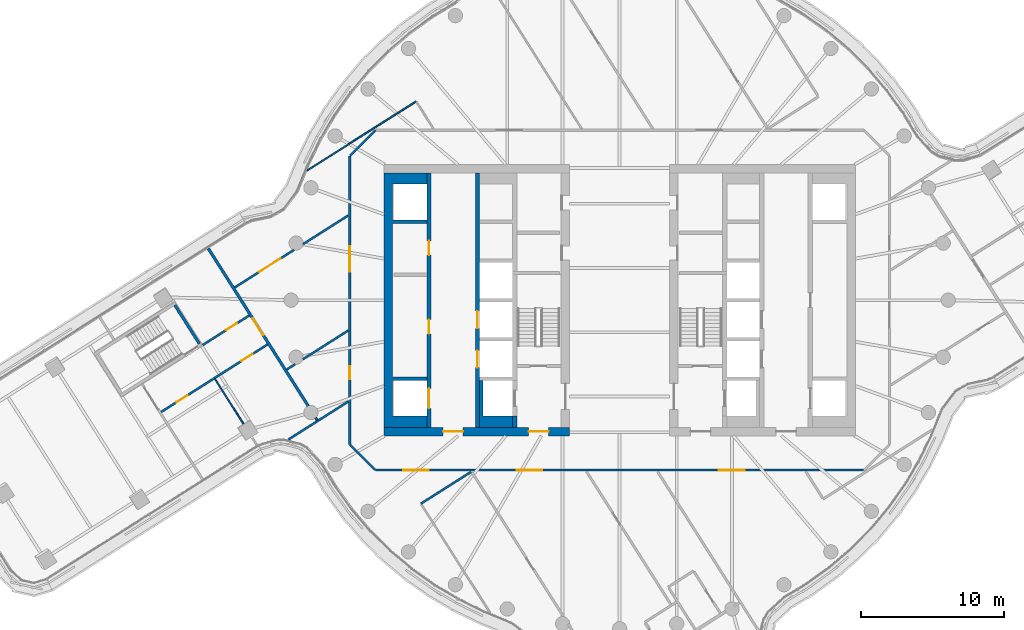
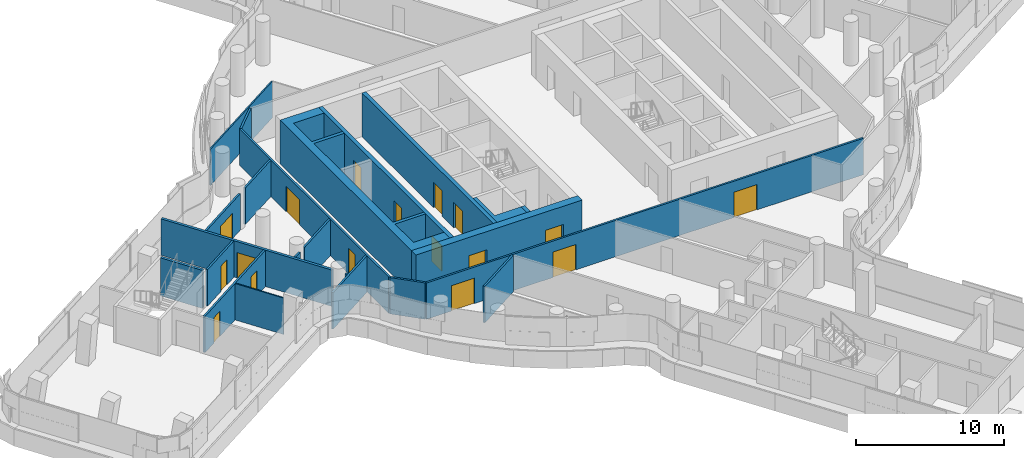
# One storey, part 24 of 36: 23 walls, 17 doors, 17 openings.
"""IFC4 building model written with IfcOpenShell, lengths in metres."""

from ifc_helpers import new_model, si_unit, direction, frame, frame_2d, origin, place, context, subcontext, project, spatial, polyline, rectangle, outline, extrude, material, layer, layer_set, type_object, element, fill, save


model = new_model("IFC4")

# Units and contexts
model_context = context("Model", 3, precision=1e-05, world=origin(), true_north=direction((0.0, 1.0)))
body_context = subcontext(model_context, "Body", "Model", "MODEL_VIEW")
ifc_project = project(units=[si_unit("LENGTHUNIT", "METRE"), si_unit("AREAUNIT", "SQUARE_METRE"), si_unit("VOLUMEUNIT", "CUBIC_METRE"), si_unit("PLANEANGLEUNIT", "RADIAN"), si_unit("MASSUNIT", "GRAM", prefix="KILO")], contexts=[model_context])

# Site, building, storey
site_placement = place(None, origin())
site = spatial("IfcSite", under=ifc_project, at=site_placement, CompositionType="ELEMENT")
building_placement = place(site_placement, origin())
building = spatial("IfcBuilding", under=site, at=building_placement, Name="Tamarind Cross Interchange Tower", CompositionType="ELEMENT")
storey_placement = place(building_placement, frame((0.0, 0.0, 151.75)))
storey = spatial("IfcBuildingStorey", under=building, at=storey_placement, Name="L37", CompositionType="ELEMENT", Elevation=151.75)

# Wall, openings, doors
ifc_material_1 = material(Name="Concrete C60", Category="concrete")
ifc_layer_1 = layer(ifc_material_1, 0.60009765625)
ifc_layer_set_1 = layer_set([ifc_layer_1], Name="Concrete C60")
wall_type_1 = type_object("IfcWallType", Name="Core wall 600 mm Concrete C60", PredefinedType="SHEAR", material=ifc_layer_set_1)
wall_1_placement = place(storey_placement, frame((-16.5, -9.199951171875, 0.0), z_axis=(0.0, 0.0, 1.0), x_axis=(1.0, 0.0, 0.0)))
wall_1 = element("IfcWall", 1, at=wall_1_placement, inside=storey, type_object=wall_type_1, Name="Core wall CWL-L37-W-S", PredefinedType="SHEAR", context=body_context, shape_type="SweptSolid", body=[
    extrude(rectangle(XDim=13.0, YDim=0.60009765625, at=frame_2d((6.5, 0.0))), origin(), (0.0, 0.0, 1.0), 3.610107421875),
])
opening_1_placement = place(wall_1_placement, frame((4.14990234375, 0.0, 0.0)))
opening_1 = element("IfcOpeningElement", 2, at=opening_1_placement, cuts=wall_1, Name="Opening DCW1", PredefinedType="OPENING", context=body_context, shape_type="SweptSolid", body=[
    extrude(rectangle(XDim=1.39990234375, YDim=2.10009765625, at=frame_2d((0.699951171875, 1.050048828125))), frame((0.0, 0.31005859375, 0.0), z_axis=(0.0, -1.0, 0.0), x_axis=(1.0, 0.0, 0.0)), (0.0, 0.0, 1.0), 0.6201171875),
])
opening_2_placement = place(wall_1_placement, frame((10.125, 0.0, 0.0)))
opening_2 = element("IfcOpeningElement", 3, at=opening_2_placement, cuts=wall_1, Name="Opening DCWF", PredefinedType="OPENING", context=body_context, shape_type="SweptSolid", body=[
    extrude(rectangle(XDim=1.39990234375, YDim=2.10009765625, at=frame_2d((0.699951171875, 1.050048828125))), frame((0.0, 0.31005859375, 0.0), z_axis=(0.0, -1.0, 0.0), x_axis=(1.0, 0.0, 0.0)), (0.0, 0.0, 1.0), 0.6201171875),
])
ifc_material_2 = material(Name="Steel, fire-resisting", Category="steel")
door_type_1 = type_object("IfcDoorType", Name="Core fire door 1400 x 2100 FD90", OperationType="SINGLE_SWING_LEFT", PredefinedType="DOOR", material=ifc_material_2)
door_1_placement = place(opening_1_placement, origin())
door_1 = element("IfcDoor", 4, at=door_1_placement, inside=storey, type_object=door_type_1, Name="L37 lift lobby door", OperationType="SINGLE_SWING_LEFT", OverallHeight=2.10009765625, OverallWidth=1.39990234375, PredefinedType="DOOR", context=body_context, shape_type="SweptSolid", body=[
    extrude(rectangle(XDim=1.39990234375, YDim=2.10009765625, at=frame_2d((0.699951171875, 1.050048828125))), frame((0.0, 0.02490234375, 0.0), z_axis=(0.0, -1.0, 0.0), x_axis=(1.0, 0.0, 0.0)), (0.0, 0.0, 1.0), 0.050048828125),
])
fill(opening_1, door_1)
door_2_placement = place(opening_2_placement, origin())
door_2 = element("IfcDoor", 5, at=door_2_placement, inside=storey, type_object=door_type_1, Name="L37 firefighting lobby end door", OperationType="SINGLE_SWING_LEFT", OverallHeight=2.10009765625, OverallWidth=1.39990234375, PredefinedType="DOOR", context=body_context, shape_type="SweptSolid", body=[
    extrude(rectangle(XDim=1.39990234375, YDim=2.10009765625, at=frame_2d((0.699951171875, 1.050048828125))), frame((0.0, 0.02490234375, 0.0), z_axis=(0.0, -1.0, 0.0), x_axis=(1.0, 0.0, 0.0)), (0.0, 0.0, 1.0), 0.050048828125),
])
fill(opening_2, door_2)

# Walls
wall_2_placement = place(storey_placement, origin())
element("IfcWall", 6, at=wall_2_placement, inside=storey, type_object=wall_type_1, Name="Core wall CWL-L37-W-A", PredefinedType="SHEAR", context=body_context, shape_type="SweptSolid", body=[
    extrude(outline(polyline([(-13.5, -8.125), (-15.89990234375, -8.125), (-15.89990234375, -5.625), (-13.5, -5.625), (-13.5, -5.375), (-15.89990234375, -5.375), (-15.89990234375, 5.375), (-13.5, 5.375), (-13.5, 5.625), (-15.89990234375, 5.625), (-15.89990234375, 8.125), (-13.5, 8.125), (-13.5, 8.89990234375), (-15.89990234375, 8.89990234375), (-16.5, 8.89990234375), (-16.5, -8.89990234375), (-15.89990234375, -8.89990234375), (-13.5, -8.89990234375), (-13.5, -8.125)])), origin(), (0.0, 0.0, 1.0), 3.610107421875),
])
ifc_layer_2 = layer(ifc_material_1, 0.300048828125)
ifc_layer_set_2 = layer_set([ifc_layer_2], Name="Concrete C60")
wall_type_2 = type_object("IfcWallType", Name="Core web wall 300 mm Concrete C60", PredefinedType="SHEAR", material=ifc_layer_set_2)
wall_3_placement = place(storey_placement, origin())
element("IfcWall", 7, at=wall_3_placement, inside=storey, type_object=wall_type_2, Name="Core wall CWL-L37-W-BS", PredefinedType="SHEAR", context=body_context, shape_type="SweptSolid", body=[
    extrude(outline(polyline([(-7.5, -8.125), (-9.550048828125, -8.125), (-9.550048828125, -5.625), (-9.800048828125, -5.625), (-9.800048828125, -8.125), (-9.800048828125, -8.89990234375), (-7.5, -8.89990234375), (-7.5, -8.125)])), origin(), (0.0, 0.0, 1.0), 3.610107421875),
])
wall_4_placement = place(storey_placement, frame((-7.35009765625, -8.89990234375, 0.0), z_axis=(0.0, 0.0, 1.0), x_axis=(0.0, 1.0, 0.0)))
element("IfcWall", 8, at=wall_4_placement, inside=storey, type_object=wall_type_2, Name="Core wall CWL-L37-W-BW", PredefinedType="SHEAR", context=body_context, shape_type="SweptSolid", body=[
    extrude(rectangle(XDim=0.77490234375, YDim=0.300048828125, at=frame_2d((0.387451171875, 0.0))), origin(), (0.0, 0.0, 1.0), 3.610107421875),
])

# Wall, openings, doors
wall_5_placement = place(storey_placement, frame((-13.35009765625, -8.89990234375, 0.0), z_axis=(0.0, 0.0, 1.0), x_axis=(0.0, 1.0, 0.0)))
wall_5 = element("IfcWall", 9, at=wall_5_placement, inside=storey, type_object=wall_type_2, Name="Core wall CWL-L37-W-LA", PredefinedType="SHEAR", context=body_context, shape_type="SweptSolid", body=[
    extrude(rectangle(XDim=17.7998046875, YDim=0.300048828125, at=frame_2d((8.89990234375, 0.0))), origin(), (0.0, 0.0, 1.0), 3.610107421875),
])
opening_3_placement = place(wall_5_placement, frame((1.324951171875, 0.0, 0.0)))
opening_3 = element("IfcOpeningElement", 10, at=opening_3_placement, cuts=wall_5, Name="Opening LD1L37", PredefinedType="OPENING", context=body_context, shape_type="SweptSolid", body=[
    extrude(rectangle(XDim=1.39990234375, YDim=2.10009765625, at=frame_2d((0.699951171875, 1.050048828125))), frame((0.0, 0.159912109375, 0.0), z_axis=(0.0, -1.0, 0.0), x_axis=(1.0, 0.0, 0.0)), (0.0, 0.0, 1.0), 0.320068359375),
])
opening_4_placement = place(wall_5_placement, frame((6.5458984375, 0.0, 0.0)))
opening_4 = element("IfcOpeningElement", 11, at=opening_4_placement, cuts=wall_5, Name="Opening DCW9", PredefinedType="OPENING", context=body_context, shape_type="SweptSolid", body=[
    extrude(rectangle(XDim=1.0, YDim=2.10009765625, at=frame_2d((0.5, 1.050048828125))), frame((0.0, 0.159912109375, 0.0), z_axis=(0.0, -1.0, 0.0), x_axis=(1.0, 0.0, 0.0)), (0.0, 0.0, 1.0), 0.320068359375),
])
opening_5_placement = place(wall_5_placement, frame((12.0458984375, 0.0, 0.0)))
opening_5 = element("IfcOpeningElement", 12, at=opening_5_placement, cuts=wall_5, Name="Opening DCW10", PredefinedType="OPENING", context=body_context, shape_type="SweptSolid", body=[
    extrude(rectangle(XDim=1.0, YDim=2.10009765625, at=frame_2d((0.5, 1.050048828125))), frame((0.0, 0.159912109375, 0.0), z_axis=(0.0, -1.0, 0.0), x_axis=(1.0, 0.0, 0.0)), (0.0, 0.0, 1.0), 0.320068359375),
])
door_type_2 = type_object("IfcDoorType", Name="Core fire door 1000 x 2100 FD90", OperationType="SINGLE_SWING_LEFT", PredefinedType="DOOR", material=ifc_material_2)
door_3_placement = place(opening_4_placement, origin())
door_3 = element("IfcDoor", 13, at=door_3_placement, inside=storey, type_object=door_type_2, Name="L37 Cable room door", OperationType="SINGLE_SWING_LEFT", OverallHeight=2.10009765625, OverallWidth=1.0, PredefinedType="DOOR", context=body_context, shape_type="SweptSolid", body=[
    extrude(rectangle(XDim=1.0, YDim=2.10009765625, at=frame_2d((0.5, 1.050048828125))), frame((0.0, 0.02490234375, 0.0), z_axis=(0.0, -1.0, 0.0), x_axis=(1.0, 0.0, 0.0)), (0.0, 0.0, 1.0), 0.050048828125),
])
fill(opening_4, door_3)
door_4_placement = place(opening_5_placement, origin())
door_4 = element("IfcDoor", 14, at=door_4_placement, inside=storey, type_object=door_type_2, Name="L37 Meter room door", OperationType="SINGLE_SWING_LEFT", OverallHeight=2.10009765625, OverallWidth=1.0, PredefinedType="DOOR", context=body_context, shape_type="SweptSolid", body=[
    extrude(rectangle(XDim=1.0, YDim=2.10009765625, at=frame_2d((0.5, 1.050048828125))), frame((0.0, 0.02490234375, 0.0), z_axis=(0.0, -1.0, 0.0), x_axis=(1.0, 0.0, 0.0)), (0.0, 0.0, 1.0), 0.050048828125),
])
fill(opening_5, door_4)
ifc_material_3 = material(Name="Stainless steel panel", Category="steel")
door_type_3 = type_object("IfcDoorType", Name="Lift landing door 1400 x 2100 E 120", OperationType="SLIDING_TO_LEFT", PredefinedType="DOOR", material=ifc_material_3)
door_5_placement = place(opening_3_placement, origin())
door_5 = element("IfcDoor", 15, at=door_5_placement, inside=storey, type_object=door_type_3, Name="L37 landing door LF1", OperationType="SLIDING_TO_LEFT", OverallHeight=2.10009765625, OverallWidth=1.39990234375, PredefinedType="DOOR", context=body_context, shape_type="SweptSolid", body=[
    extrude(rectangle(XDim=1.39990234375, YDim=2.10009765625, at=frame_2d((0.699951171875, 1.050048828125))), frame((0.0, 0.02490234375, 0.0), z_axis=(0.0, -1.0, 0.0), x_axis=(1.0, 0.0, 0.0)), (0.0, 0.0, 1.0), 0.050048828125),
])
fill(opening_3, door_5)

wall_6_placement = place(storey_placement, frame((-9.949951171875, -8.89990234375, 0.0), z_axis=(0.0, 0.0, 1.0), x_axis=(0.0, 1.0, 0.0)))
wall_6 = element("IfcWall", 16, at=wall_6_placement, inside=storey, type_object=wall_type_2, Name="Core wall CWL-L37-W-LB", PredefinedType="SHEAR", context=body_context, shape_type="SweptSolid", body=[
    extrude(rectangle(XDim=17.7998046875, YDim=0.300048828125, at=frame_2d((8.89990234375, 0.0))), origin(), (0.0, 0.0, 1.0), 3.610107421875),
])
opening_6_placement = place(wall_6_placement, frame((4.175048828125, 0.0, 0.0)))
opening_6 = element("IfcOpeningElement", 17, at=opening_6_placement, cuts=wall_6, Name="Opening LD8L37", PredefinedType="OPENING", context=body_context, shape_type="SweptSolid", body=[
    extrude(rectangle(XDim=1.199951171875, YDim=2.10009765625, at=frame_2d((0.60009765625, 1.050048828125))), frame((0.0, 0.159912109375, 0.0), z_axis=(0.0, -1.0, 0.0), x_axis=(1.0, 0.0, 0.0)), (0.0, 0.0, 1.0), 0.320068359375),
])
opening_7_placement = place(wall_6_placement, frame((6.925048828125, 0.0, 0.0)))
opening_7 = element("IfcOpeningElement", 18, at=opening_7_placement, cuts=wall_6, Name="Opening LD9L37", PredefinedType="OPENING", context=body_context, shape_type="SweptSolid", body=[
    extrude(rectangle(XDim=1.199951171875, YDim=2.10009765625, at=frame_2d((0.60009765625, 1.050048828125))), frame((0.0, 0.159912109375, 0.0), z_axis=(0.0, -1.0, 0.0), x_axis=(1.0, 0.0, 0.0)), (0.0, 0.0, 1.0), 0.320068359375),
])
door_type_4 = type_object("IfcDoorType", Name="Lift landing door 1200 x 2100 E 120", OperationType="SLIDING_TO_LEFT", PredefinedType="DOOR", material=ifc_material_3)
door_6_placement = place(opening_6_placement, origin())
door_6 = element("IfcDoor", 19, at=door_6_placement, inside=storey, type_object=door_type_4, Name="L37 landing door LF8", OperationType="SLIDING_TO_LEFT", OverallHeight=2.10009765625, OverallWidth=1.199951171875, PredefinedType="DOOR", context=body_context, shape_type="SweptSolid", body=[
    extrude(rectangle(XDim=1.199951171875, YDim=2.10009765625, at=frame_2d((0.60009765625, 1.050048828125))), frame((0.0, 0.02490234375, 0.0), z_axis=(0.0, -1.0, 0.0), x_axis=(1.0, 0.0, 0.0)), (0.0, 0.0, 1.0), 0.050048828125),
])
fill(opening_6, door_6)
door_7_placement = place(opening_7_placement, origin())
door_7 = element("IfcDoor", 20, at=door_7_placement, inside=storey, type_object=door_type_4, Name="L37 landing door LF9", OperationType="SLIDING_TO_LEFT", OverallHeight=2.10009765625, OverallWidth=1.199951171875, PredefinedType="DOOR", context=body_context, shape_type="SweptSolid", body=[
    extrude(rectangle(XDim=1.199951171875, YDim=2.10009765625, at=frame_2d((0.60009765625, 1.050048828125))), frame((0.0, 0.02490234375, 0.0), z_axis=(0.0, -1.0, 0.0), x_axis=(1.0, 0.0, 0.0)), (0.0, 0.0, 1.0), 0.050048828125),
])
fill(opening_7, door_7)

# Walls
ifc_material_4 = material(Name="Gypsum board partition on steel studs", Category="steel")
ifc_layer_3 = layer(ifc_material_4, 0.10009765625)
ifc_layer_set_3 = layer_set([ifc_layer_3], Name="Gypsum board partition on steel studs")
wall_type_3 = type_object("IfcWallType", Name="Partition 100 mm EI 90", PredefinedType="PARTITIONING", material=ifc_layer_set_3)
wall_7_placement = place(storey_placement, frame((-28.32568359375, -5.522216796875, 0.0), z_axis=(0.0, 0.0, 1.0), x_axis=(0.535609595691, -0.84446572518, 0.0)))
element("IfcWall", 21, at=wall_7_placement, inside=storey, type_object=wall_type_3, Name="Partition L37-005", PredefinedType="PARTITIONING", context=body_context, shape_type="SweptSolid", body=[
    extrude(rectangle(XDim=3.7080078125, YDim=0.10009765625, at=frame_2d((1.85400390625, 0.0))), origin(), (0.0, 0.0, 1.0), 3.010009765625),
])
wall_8_placement = place(storey_placement, frame((-21.884521484375, 9.0732421875, 0.0), z_axis=(0.0, 0.0, 1.0), x_axis=(0.844422195246, 0.535678220741, 0.0)))
element("IfcWall", 22, at=wall_8_placement, inside=storey, type_object=wall_type_3, Name="Partition L37-044", PredefinedType="PARTITIONING", context=body_context, shape_type="SweptSolid", body=[
    extrude(rectangle(XDim=9.042236328125, YDim=0.10009765625, at=frame_2d((4.52099609375, 0.0))), origin(), (0.0, 0.0, 1.0), 3.010009765625),
])
ifc_layer_4 = layer(ifc_material_4, 0.14990234375)
ifc_layer_set_4 = layer_set([ifc_layer_4], Name="Gypsum board partition on steel studs")
wall_type_4 = type_object("IfcWallType", Name="Partition 150 mm EI 120", PredefinedType="PARTITIONING", material=ifc_layer_set_4)
wall_9_placement = place(storey_placement, frame((-21.279541015625, -8.229736328125, 0.0), z_axis=(0.0, 0.0, 1.0), x_axis=(0.535205480582, -0.844721903087, 0.0)))
element("IfcWall", 23, at=wall_9_placement, inside=storey, type_object=wall_type_4, Name="Partition L37-004", PredefinedType="PARTITIONING", context=body_context, shape_type="SweptSolid", body=[
    extrude(rectangle(XDim=0.189208984375, YDim=0.14990234375, at=frame_2d((0.0947265625, 0.0))), origin(), (0.0, 0.0, 1.0), 3.010009765625),
])
wall_10_placement = place(storey_placement, frame((-18.87158203125, -10.12841796875, 0.0), z_axis=(0.0, 0.0, 1.0), x_axis=(0.707106781187, -0.707106781187, 0.0)))
element("IfcWall", 24, at=wall_10_placement, inside=storey, type_object=wall_type_4, Name="Partition L37-033", PredefinedType="PARTITIONING", context=body_context, shape_type="SweptSolid", body=[
    extrude(rectangle(XDim=2.465087890625, YDim=0.14990234375, at=frame_2d((1.232421875, 0.0))), origin(), (0.0, 0.0, 1.0), 3.010009765625),
])

# Wall, openings, doors
wall_11_placement = place(storey_placement, frame((-17.10009765625, -11.89990234375, 0.0), z_axis=(0.0, 0.0, 1.0), x_axis=(1.0, 0.0, 0.0)))
wall_11 = element("IfcWall", 25, at=wall_11_placement, inside=storey, type_object=wall_type_4, Name="Partition L37-035", PredefinedType="PARTITIONING", context=body_context, shape_type="SweptSolid", body=[
    extrude(rectangle(XDim=34.1650390625, YDim=0.14990234375, at=frame_2d((17.08251953125, 0.0))), origin(), (0.0, 0.0, 1.0), 3.010009765625),
])
opening_8_placement = place(wall_11_placement, frame((9.885986328125, 0.0, 0.0)))
opening_8 = element("IfcOpeningElement", 26, at=opening_8_placement, cuts=wall_11, Name="Opening D23", PredefinedType="OPENING", context=body_context, shape_type="SweptSolid", body=[
    extrude(rectangle(XDim=1.800048828125, YDim=2.10009765625, at=frame_2d((0.89990234375, 1.050048828125))), frame((0.0, 0.0849609375, 0.0), z_axis=(0.0, -1.0, 0.0), x_axis=(1.0, 0.0, 0.0)), (0.0, 0.0, 1.0), 0.169921875),
])
opening_9_placement = place(wall_11_placement, frame((1.949951171875, 0.0, 0.0)))
opening_9 = element("IfcOpeningElement", 27, at=opening_9_placement, cuts=wall_11, Name="Opening D24", PredefinedType="OPENING", context=body_context, shape_type="SweptSolid", body=[
    extrude(rectangle(XDim=1.800048828125, YDim=2.10009765625, at=frame_2d((0.89990234375, 1.050048828125))), frame((0.0, 0.0849609375, 0.0), z_axis=(0.0, -1.0, 0.0), x_axis=(1.0, 0.0, 0.0)), (0.0, 0.0, 1.0), 0.169921875),
])
opening_10_placement = place(wall_11_placement, frame((24.04296875, 0.0, 0.0)))
opening_10 = element("IfcOpeningElement", 28, at=opening_10_placement, cuts=wall_11, Name="Opening D25", PredefinedType="OPENING", context=body_context, shape_type="SweptSolid", body=[
    extrude(rectangle(XDim=1.800048828125, YDim=2.10009765625, at=frame_2d((0.89990234375, 1.050048828125))), frame((0.0, 0.0849609375, 0.0), z_axis=(0.0, -1.0, 0.0), x_axis=(1.0, 0.0, 0.0)), (0.0, 0.0, 1.0), 0.169921875),
])
ifc_material_5 = material(Name="Fire-resisting door set")
door_type_5 = type_object("IfcDoorType", Name="Interior door 1800 x 2100 FD60S", OperationType="DOUBLE_DOOR_SINGLE_SWING", PredefinedType="DOOR", material=ifc_material_5)
door_8_placement = place(opening_8_placement, origin())
door_8 = element("IfcDoor", 29, at=door_8_placement, inside=storey, type_object=door_type_5, Name="Door D23", OperationType="DOUBLE_DOOR_SINGLE_SWING", OverallHeight=2.10009765625, OverallWidth=1.800048828125, PredefinedType="DOOR", context=body_context, shape_type="SweptSolid", body=[
    extrude(rectangle(XDim=1.800048828125, YDim=2.10009765625, at=frame_2d((0.89990234375, 1.050048828125))), frame((0.0, 0.02490234375, 0.0), z_axis=(0.0, -1.0, 0.0), x_axis=(1.0, 0.0, 0.0)), (0.0, 0.0, 1.0), 0.050048828125),
])
fill(opening_8, door_8)
door_9_placement = place(opening_9_placement, frame((1.800048828125, 0.0, 0.0), z_axis=(0.0, 0.0, 1.0), x_axis=(-1.0, 0.0, 0.0)))
door_9 = element("IfcDoor", 30, at=door_9_placement, inside=storey, type_object=door_type_5, Name="Door D24", OperationType="DOUBLE_DOOR_SINGLE_SWING", OverallHeight=2.10009765625, OverallWidth=1.800048828125, PredefinedType="DOOR", context=body_context, shape_type="SweptSolid", body=[
    extrude(rectangle(XDim=1.800048828125, YDim=2.10009765625, at=frame_2d((0.89990234375, 1.050048828125))), frame((0.0, 0.02490234375, 0.0), z_axis=(0.0, -1.0, 0.0), x_axis=(1.0, 0.0, 0.0)), (0.0, 0.0, 1.0), 0.050048828125),
])
fill(opening_9, door_9)
door_10_placement = place(opening_10_placement, frame((1.800048828125, 0.0, 0.0), z_axis=(0.0, 0.0, 1.0), x_axis=(-1.0, 0.0, 0.0)))
door_10 = element("IfcDoor", 31, at=door_10_placement, inside=storey, type_object=door_type_5, Name="Door D25", OperationType="DOUBLE_DOOR_SINGLE_SWING", OverallHeight=2.10009765625, OverallWidth=1.800048828125, PredefinedType="DOOR", context=body_context, shape_type="SweptSolid", body=[
    extrude(rectangle(XDim=1.800048828125, YDim=2.10009765625, at=frame_2d((0.89990234375, 1.050048828125))), frame((0.0, 0.02490234375, 0.0), z_axis=(0.0, -1.0, 0.0), x_axis=(1.0, 0.0, 0.0)), (0.0, 0.0, 1.0), 0.050048828125),
])
fill(opening_10, door_10)

wall_12_placement = place(storey_placement, frame((-32.098388671875, -7.8271484375, 0.0), z_axis=(0.0, 0.0, 1.0), x_axis=(0.844378785248, 0.535746644435, 0.0)))
wall_12 = element("IfcWall", 32, at=wall_12_placement, inside=storey, type_object=wall_type_4, Name="Partition L37-037", PredefinedType="PARTITIONING", context=body_context, shape_type="SweptSolid", body=[
    extrude(rectangle(XDim=8.820068359375, YDim=0.14990234375, at=frame_2d((4.41015625, 0.0))), origin(), (0.0, 0.0, 1.0), 3.010009765625),
])
opening_11_placement = place(wall_12_placement, frame((6.67041015625, 0.0, 0.0)))
opening_11 = element("IfcOpeningElement", 33, at=opening_11_placement, cuts=wall_12, Name="Opening D29", PredefinedType="OPENING", context=body_context, shape_type="SweptSolid", body=[
    extrude(rectangle(XDim=0.89990234375, YDim=2.10009765625, at=frame_2d((0.449951171875, 1.050048828125))), frame((0.0, 0.0849609375, 0.0), z_axis=(0.0, -1.0, 0.0), x_axis=(1.0, 0.0, 0.0)), (0.0, 0.0, 1.0), 0.169921875),
])
opening_12_placement = place(wall_12_placement, frame((1.27001953125, 0.0, 0.0)))
opening_12 = element("IfcOpeningElement", 34, at=opening_12_placement, cuts=wall_12, Name="Opening D30", PredefinedType="OPENING", context=body_context, shape_type="SweptSolid", body=[
    extrude(rectangle(XDim=0.89990234375, YDim=2.10009765625, at=frame_2d((0.449951171875, 1.050048828125))), frame((0.0, 0.0849609375, 0.0), z_axis=(0.0, -1.0, 0.0), x_axis=(1.0, 0.0, 0.0)), (0.0, 0.0, 1.0), 0.169921875),
])
door_type_6 = type_object("IfcDoorType", Name="Interior door 900 x 2100 FD60S", OperationType="SINGLE_SWING_LEFT", PredefinedType="DOOR", material=ifc_material_5)
door_11_placement = place(opening_11_placement, frame((0.89990234375, 0.0, 0.0), z_axis=(0.0, 0.0, 1.0), x_axis=(-1.0, 0.0, 0.0)))
door_11 = element("IfcDoor", 35, at=door_11_placement, inside=storey, type_object=door_type_6, Name="Door D29", OperationType="SINGLE_SWING_RIGHT", OverallHeight=2.10009765625, OverallWidth=0.89990234375, PredefinedType="DOOR", context=body_context, shape_type="SweptSolid", body=[
    extrude(rectangle(XDim=0.89990234375, YDim=2.10009765625, at=frame_2d((0.449951171875, 1.050048828125))), frame((0.0, 0.02490234375, 0.0), z_axis=(0.0, -1.0, 0.0), x_axis=(1.0, 0.0, 0.0)), (0.0, 0.0, 1.0), 0.050048828125),
])
fill(opening_11, door_11)
door_12_placement = place(opening_12_placement, frame((0.89990234375, 0.0, 0.0), z_axis=(0.0, 0.0, 1.0), x_axis=(-1.0, 0.0, 0.0)))
door_12 = element("IfcDoor", 36, at=door_12_placement, inside=storey, type_object=door_type_6, Name="Door D30", OperationType="SINGLE_SWING_LEFT", OverallHeight=2.10009765625, OverallWidth=0.89990234375, PredefinedType="DOOR", context=body_context, shape_type="SweptSolid", body=[
    extrude(rectangle(XDim=0.89990234375, YDim=2.10009765625, at=frame_2d((0.449951171875, 1.050048828125))), frame((0.0, 0.02490234375, 0.0), z_axis=(0.0, -1.0, 0.0), x_axis=(1.0, 0.0, 0.0)), (0.0, 0.0, 1.0), 0.050048828125),
])
fill(opening_12, door_12)

# Wall, opening, door
wall_13_placement = place(storey_placement, frame((-29.1953125, -3.142822265625, 0.0), z_axis=(0.0, 0.0, 1.0), x_axis=(0.844457633829, 0.535622352658, 0.0)))
wall_13 = element("IfcWall", 37, at=wall_13_placement, inside=storey, type_object=wall_type_4, Name="Partition L37-038", PredefinedType="PARTITIONING", context=body_context, shape_type="SweptSolid", body=[
    extrude(rectangle(XDim=3.859375, YDim=0.14990234375, at=frame_2d((1.9296875, 0.0))), origin(), (0.0, 0.0, 1.0), 3.010009765625),
])
opening_13_placement = place(wall_13_placement, frame((1.949951171875, 0.0, 0.0)))
opening_13 = element("IfcOpeningElement", 38, at=opening_13_placement, cuts=wall_13, Name="Opening D31", PredefinedType="OPENING", context=body_context, shape_type="SweptSolid", body=[
    extrude(rectangle(XDim=0.89990234375, YDim=2.10009765625, at=frame_2d((0.449951171875, 1.050048828125))), frame((0.0, 0.0849609375, 0.0), z_axis=(0.0, -1.0, 0.0), x_axis=(1.0, 0.0, 0.0)), (0.0, 0.0, 1.0), 0.169921875),
])
door_13_placement = place(opening_13_placement, origin())
door_13 = element("IfcDoor", 39, at=door_13_placement, inside=storey, type_object=door_type_6, Name="Door D31", OperationType="SINGLE_SWING_LEFT", OverallHeight=2.10009765625, OverallWidth=0.89990234375, PredefinedType="DOOR", context=body_context, shape_type="SweptSolid", body=[
    extrude(rectangle(XDim=0.89990234375, YDim=2.10009765625, at=frame_2d((0.449951171875, 1.050048828125))), frame((0.0, 0.02490234375, 0.0), z_axis=(0.0, -1.0, 0.0), x_axis=(1.0, 0.0, 0.0)), (0.0, 0.0, 1.0), 0.050048828125),
])
fill(opening_13, door_13)

wall_14_placement = place(storey_placement, frame((-26.945556640625, 0.8896484375, 0.0), z_axis=(0.0, 0.0, 1.0), x_axis=(0.844458169001, 0.535621508911, 0.0)))
wall_14 = element("IfcWall", 40, at=wall_14_placement, inside=storey, type_object=wall_type_4, Name="Partition L37-039", PredefinedType="PARTITIONING", context=body_context, shape_type="SweptSolid", body=[
    extrude(rectangle(XDim=4.91552734375, YDim=0.14990234375, at=frame_2d((2.457763671875, 0.0))), origin(), (0.0, 0.0, 1.0), 3.010009765625),
])
opening_14_placement = place(wall_14_placement, frame((2.0, 0.0, 0.0)))
opening_14 = element("IfcOpeningElement", 41, at=opening_14_placement, cuts=wall_14, Name="Opening D32", PredefinedType="OPENING", context=body_context, shape_type="SweptSolid", body=[
    extrude(rectangle(XDim=1.800048828125, YDim=2.10009765625, at=frame_2d((0.89990234375, 1.050048828125))), frame((0.0, 0.0849609375, 0.0), z_axis=(0.0, -1.0, 0.0), x_axis=(1.0, 0.0, 0.0)), (0.0, 0.0, 1.0), 0.169921875),
])
door_14_placement = place(opening_14_placement, origin())
door_14 = element("IfcDoor", 42, at=door_14_placement, inside=storey, type_object=door_type_5, Name="Door D32", OperationType="DOUBLE_DOOR_SINGLE_SWING", OverallHeight=2.10009765625, OverallWidth=1.800048828125, PredefinedType="DOOR", context=body_context, shape_type="SweptSolid", body=[
    extrude(rectangle(XDim=1.800048828125, YDim=2.10009765625, at=frame_2d((0.89990234375, 1.050048828125))), frame((0.0, 0.02490234375, 0.0), z_axis=(0.0, -1.0, 0.0), x_axis=(1.0, 0.0, 0.0)), (0.0, 0.0, 1.0), 0.050048828125),
])
fill(opening_14, door_14)

# Walls
wall_15_placement = place(storey_placement, frame((-22.15869140625, 3.92578125, 0.0), z_axis=(0.0, 0.0, 1.0), x_axis=(0.844425849741, 0.535672459894, 0.0)))
element("IfcWall", 43, at=wall_15_placement, inside=storey, type_object=wall_type_4, Name="Partition L37-040", PredefinedType="PARTITIONING", context=body_context, shape_type="SweptSolid", body=[
    extrude(rectangle(XDim=3.744140625, YDim=0.14990234375, at=frame_2d((1.8720703125, 0.0))), origin(), (0.0, 0.0, 1.0), 3.010009765625),
])
wall_16_placement = place(storey_placement, frame((-23.3037109375, -4.853515625, 0.0), z_axis=(0.0, 0.0, 1.0), x_axis=(0.844332505382, 0.535819578174, 0.0)))
element("IfcWall", 44, at=wall_16_placement, inside=storey, type_object=wall_type_4, Name="Partition L37-041", PredefinedType="PARTITIONING", context=body_context, shape_type="SweptSolid", body=[
    extrude(rectangle(XDim=0.6884765625, YDim=0.14990234375, at=frame_2d((0.34423828125, 0.0))), origin(), (0.0, 0.0, 1.0), 3.010009765625),
])
wall_17_placement = place(storey_placement, frame((-22.179931640625, -4.140625, 0.0), z_axis=(0.0, 0.0, 1.0), x_axis=(0.844431403995, 0.535663704153, 0.0)))
element("IfcWall", 45, at=wall_17_placement, inside=storey, type_object=wall_type_4, Name="Partition L37-042", PredefinedType="PARTITIONING", context=body_context, shape_type="SweptSolid", body=[
    extrude(rectangle(XDim=3.769287109375, YDim=0.14990234375, at=frame_2d((1.884765625, 0.0))), origin(), (0.0, 0.0, 1.0), 3.010009765625),
])
wall_18_placement = place(storey_placement, frame((-23.19677734375, -9.75927734375, 0.0), z_axis=(0.0, 0.0, 1.0), x_axis=(0.844477168242, 0.535591553629, 0.0)))
element("IfcWall", 46, at=wall_18_placement, inside=storey, type_object=wall_type_4, Name="Partition L37-043", PredefinedType="PARTITIONING", context=body_context, shape_type="SweptSolid", body=[
    extrude(rectangle(XDim=4.97314453125, YDim=0.14990234375, at=frame_2d((2.486572265625, 0.0))), origin(), (0.0, 0.0, 1.0), 3.010009765625),
])
wall_19_placement = place(storey_placement, frame((-13.9169921875, -14.2490234375, 0.0), z_axis=(0.0, 0.0, 1.0), x_axis=(0.844421821782, 0.535678809454, 0.0)))
element("IfcWall", 47, at=wall_19_placement, inside=storey, type_object=wall_type_4, Name="Partition L37-050", PredefinedType="PARTITIONING", context=body_context, shape_type="SweptSolid", body=[
    extrude(rectangle(XDim=4.16015625, YDim=0.14990234375, at=frame_2d((2.080078125, 0.0))), origin(), (0.0, 0.0, 1.0), 3.010009765625),
])
wall_20_placement = place(storey_placement, frame((-18.87158203125, 10.12841796875, 0.0), z_axis=(0.0, 0.0, 1.0), x_axis=(0.707106781187, 0.707106781187, 0.0)))
element("IfcWall", 48, at=wall_20_placement, inside=storey, type_object=wall_type_4, Name="Partition L37-078", PredefinedType="PARTITIONING", context=body_context, shape_type="SweptSolid", body=[
    extrude(rectangle(XDim=2.50537109375, YDim=0.14990234375, at=frame_2d((1.252685546875, 0.0))), origin(), (0.0, 0.0, 1.0), 3.010009765625),
])

# Wall, openings, doors
wall_21_placement = place(storey_placement, frame((-18.89990234375, -10.10009765625, 0.0), z_axis=(0.0, 0.0, 1.0), x_axis=(0.0, 1.0, 0.0)))
wall_21 = element("IfcWall", 49, at=wall_21_placement, inside=storey, type_object=wall_type_4, Name="Partition L37-080", PredefinedType="PARTITIONING", context=body_context, shape_type="SweptSolid", body=[
    extrude(rectangle(XDim=20.2001953125, YDim=0.14990234375, at=frame_2d((10.10009765625, 0.0))), origin(), (0.0, 0.0, 1.0), 3.010009765625),
])
opening_15_placement = place(wall_21_placement, frame((12.090087890625, 0.0, 0.0)))
opening_15 = element("IfcOpeningElement", 50, at=opening_15_placement, cuts=wall_21, Name="Opening D42", PredefinedType="OPENING", context=body_context, shape_type="SweptSolid", body=[
    extrude(rectangle(XDim=1.800048828125, YDim=2.10009765625, at=frame_2d((0.89990234375, 1.050048828125))), frame((0.0, 0.0849609375, 0.0), z_axis=(0.0, -1.0, 0.0), x_axis=(1.0, 0.0, 0.0)), (0.0, 0.0, 1.0), 0.169921875),
])
opening_16_placement = place(wall_21_placement, frame((4.56591796875, 0.0, 0.0)))
opening_16 = element("IfcOpeningElement", 51, at=opening_16_placement, cuts=wall_21, Name="Opening D43", PredefinedType="OPENING", context=body_context, shape_type="SweptSolid", body=[
    extrude(rectangle(XDim=0.89990234375, YDim=2.10009765625, at=frame_2d((0.449951171875, 1.050048828125))), frame((0.0, 0.0849609375, 0.0), z_axis=(0.0, -1.0, 0.0), x_axis=(1.0, 0.0, 0.0)), (0.0, 0.0, 1.0), 0.169921875),
])
door_15_placement = place(opening_15_placement, frame((1.800048828125, 0.0, 0.0), z_axis=(0.0, 0.0, 1.0), x_axis=(-1.0, 0.0, 0.0)))
door_15 = element("IfcDoor", 52, at=door_15_placement, inside=storey, type_object=door_type_5, Name="Door D42", OperationType="DOUBLE_DOOR_SINGLE_SWING", OverallHeight=2.10009765625, OverallWidth=1.800048828125, PredefinedType="DOOR", context=body_context, shape_type="SweptSolid", body=[
    extrude(rectangle(XDim=1.800048828125, YDim=2.10009765625, at=frame_2d((0.89990234375, 1.050048828125))), frame((0.0, 0.02490234375, 0.0), z_axis=(0.0, -1.0, 0.0), x_axis=(1.0, 0.0, 0.0)), (0.0, 0.0, 1.0), 0.050048828125),
])
fill(opening_15, door_15)
door_16_placement = place(opening_16_placement, origin())
door_16 = element("IfcDoor", 53, at=door_16_placement, inside=storey, type_object=door_type_6, Name="Door D43", OperationType="SINGLE_SWING_RIGHT", OverallHeight=2.10009765625, OverallWidth=0.89990234375, PredefinedType="DOOR", context=body_context, shape_type="SweptSolid", body=[
    extrude(rectangle(XDim=0.89990234375, YDim=2.10009765625, at=frame_2d((0.449951171875, 1.050048828125))), frame((0.0, 0.02490234375, 0.0), z_axis=(0.0, -1.0, 0.0), x_axis=(1.0, 0.0, 0.0)), (0.0, 0.0, 1.0), 0.050048828125),
])
fill(opening_16, door_16)

# Wall, opening, door
ifc_layer_5 = layer(ifc_material_4, 0.199951171875)
ifc_layer_set_5 = layer_set([ifc_layer_5], Name="Gypsum board partition on steel studs")
wall_type_5 = type_object("IfcWallType", Name="Partition 200 mm EI 180", PredefinedType="PARTITIONING", material=ifc_layer_set_5)
wall_22_placement = place(storey_placement, frame((-28.797607421875, 3.62109375, 0.0), z_axis=(0.0, 0.0, 1.0), x_axis=(0.535688347335, -0.844415771128, 0.0)))
wall_22 = element("IfcWall", 54, at=wall_22_placement, inside=storey, type_object=wall_type_5, Name="Partition L37-003", PredefinedType="PARTITIONING", context=body_context, shape_type="SweptSolid", body=[
    extrude(rectangle(XDim=13.06005859375, YDim=0.199951171875, at=frame_2d((6.530029296875, 0.0))), origin(), (0.0, 0.0, 1.0), 3.010009765625),
])
opening_17_placement = place(wall_22_placement, frame((5.798583984375, 0.0, 0.0)))
opening_17 = element("IfcOpeningElement", 55, at=opening_17_placement, cuts=wall_22, Name="Opening D02", PredefinedType="OPENING", context=body_context, shape_type="SweptSolid", body=[
    extrude(rectangle(XDim=1.39990234375, YDim=2.10009765625, at=frame_2d((0.699951171875, 1.050048828125))), frame((0.0, 0.10986328125, 0.0), z_axis=(0.0, -1.0, 0.0), x_axis=(1.0, 0.0, 0.0)), (0.0, 0.0, 1.0), 0.219970703125),
])
door_type_7 = type_object("IfcDoorType", Name="Interior door 1400 x 2100 FD120S", OperationType="DOUBLE_DOOR_SINGLE_SWING", PredefinedType="DOOR", material=ifc_material_5)
door_17_placement = place(opening_17_placement, origin())
door_17 = element("IfcDoor", 56, at=door_17_placement, inside=storey, type_object=door_type_7, Name="Door D02", OperationType="DOUBLE_DOOR_SINGLE_SWING", OverallHeight=2.10009765625, OverallWidth=1.39990234375, PredefinedType="DOOR", context=body_context, shape_type="SweptSolid", body=[
    extrude(rectangle(XDim=1.39990234375, YDim=2.10009765625, at=frame_2d((0.699951171875, 1.050048828125))), frame((0.0, 0.02490234375, 0.0), z_axis=(0.0, -1.0, 0.0), x_axis=(1.0, 0.0, 0.0)), (0.0, 0.0, 1.0), 0.050048828125),
])
fill(opening_17, door_17)

# Wall
ifc_material_6 = material(Name="Concrete C40", Category="concrete")
ifc_layer_6 = layer(ifc_material_6, 0.199951171875)
ifc_layer_set_6 = layer_set([ifc_layer_6], Name="Concrete C40")
wall_type_6 = type_object("IfcWallType", Name="Stair shaft wall 200 mm Concrete C40", PredefinedType="SHEAR", material=ifc_layer_set_6)
wall_23_placement = place(storey_placement, frame((-31.135009765625, -0.347412109375, -0.139892578125), z_axis=(0.0, 0.0, 1.0), x_axis=(0.535665444282, -0.844430300144, 0.0)))
element("IfcWall", 57, at=wall_23_placement, inside=storey, type_object=wall_type_6, Name="Core wall CWL-L37-ST5-CE", PredefinedType="SHEAR", context=body_context, shape_type="SweptSolid", body=[
    extrude(rectangle(XDim=3.199951171875, YDim=0.199951171875, at=frame_2d((1.60009765625, 0.0))), origin(), (0.0, 0.0, 1.0), 3.14990234375),
])

save(model, "model.ifc")
